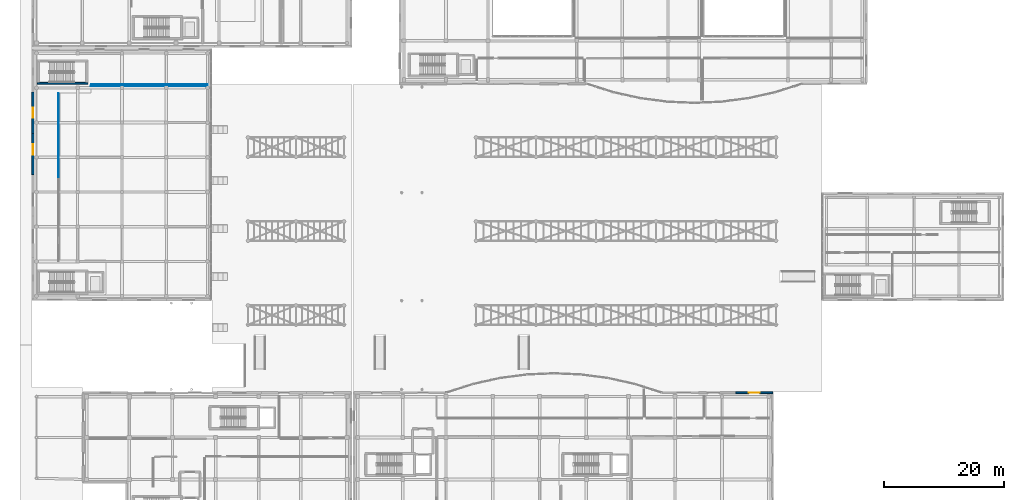
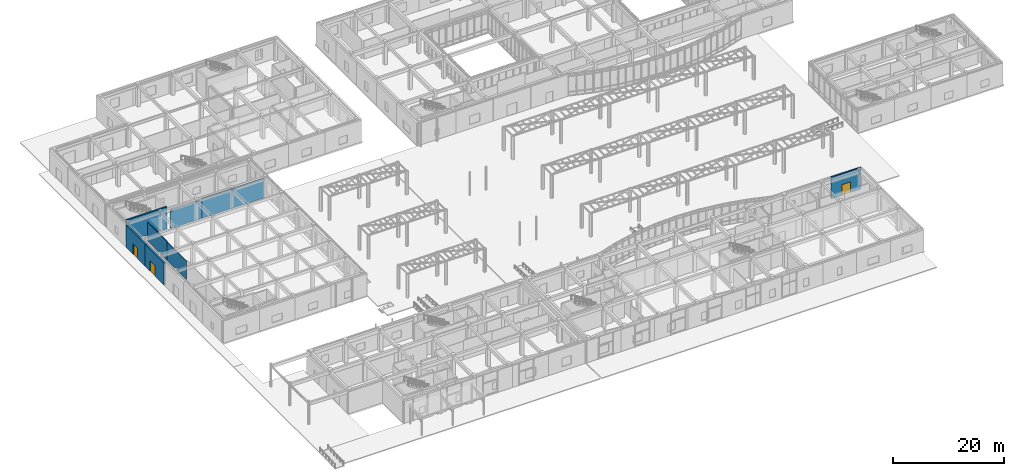
# One storey, part 100 of 121: 12 walls, 3 doors, 3 openings.
"""IFC4 building model written with IfcOpenShell, lengths in metres."""

import ifcopenshell
import ifcopenshell.guid

model = None  # the IFC model being written
_history = None  # IfcOwnerHistory: only IFC2X3 demands one
_inside = {}  # id of a spatial element -> (the spatial element, [elements in it])
_under = {}  # id of a project, library or spatial element -> (it, [spatial elements below it])
_declared = {}  # id of a project -> (the project, [libraries it declares])
_typed = {}  # id of a type object -> (the type object, [elements of that type])
_made_of = {}  # id of a material, layer set ... -> (it, [elements and type objects made of it])


def new_model(schema):
    """Start an empty IFC model of exactly this schema.

    Asked for "IFC4X3", IfcOpenShell would pick the latest addendum, in which some entities
    have other attributes; the version numbers below select the first issue.
    IFC2X3 requires an IfcOwnerHistory on every rooted entity: one is made here for all.
    """
    global model, _history
    if schema == "IFC4X3":
        model = ifcopenshell.file(schema_version=(4, 3, 0, 0))
    else:
        model = ifcopenshell.file(schema=schema)
    _inside.clear()
    _under.clear()
    _declared.clear()
    _typed.clear()
    _made_of.clear()
    _history = None
    if model.schema == "IFC2X3":
        org = make("IfcOrganization", Name="unknown")
        user = make(
            "IfcPersonAndOrganization",
            ThePerson=make("IfcPerson", FamilyName="unknown"),
            TheOrganization=org,
        )
        app = make(
            "IfcApplication",
            ApplicationDeveloper=org,
            Version="unknown",
            ApplicationFullName="unknown",
            ApplicationIdentifier="unknown",
        )
        _history = make(
            "IfcOwnerHistory",
            OwningUser=user,
            OwningApplication=app,
            ChangeAction="ADDED",
            CreationDate=0,
        )
    return model


def make(cls, **values):
    """One entity of the class cls with the attributes given. An attribute that is None is left unset."""
    return model.create_entity(
        cls, **{name: value for name, value in values.items() if value is not None}
    )


def rooted(cls, **values):
    """An entity with a GlobalId (a new one), such as an element, a storey or a relation."""
    return make(cls, GlobalId=ifcopenshell.guid.new(), OwnerHistory=_history, **values)


def si_unit(unit_type, name, prefix=None):
    """IfcSIUnit, for example si_unit("LENGTHUNIT", "METRE", prefix="MILLI")."""
    return make("IfcSIUnit", UnitType=unit_type, Prefix=prefix, Name=name)


def assignment(units):
    """IfcUnitAssignment: the units of a project."""
    return None if units is None else make("IfcUnitAssignment", Units=units)


def point(xyz):
    """IfcCartesianPoint."""
    return None if xyz is None else make("IfcCartesianPoint", Coordinates=xyz)


def direction(xyz):
    """IfcDirection."""
    return None if xyz is None else make("IfcDirection", DirectionRatios=xyz)


def frame(location, z_axis=None, x_axis=None):
    """IfcAxis2Placement3D, a coordinate frame: its origin and axes. An axis left out is left unset."""
    return make(
        "IfcAxis2Placement3D",
        Location=point(location),
        Axis=direction(z_axis),
        RefDirection=direction(x_axis),
    )


def frame_2d(location, x_axis=None):
    """IfcAxis2Placement2D, a coordinate frame in the plane: its origin and x axis."""
    return make(
        "IfcAxis2Placement2D", Location=point(location), RefDirection=direction(x_axis)
    )


def origin():
    """The frame at (0, 0, 0) with its axes left unset."""
    return frame((0.0, 0.0, 0.0))


def place(relative_to, where):
    """IfcLocalPlacement: puts the frame where relative to a parent placement (None: the world)."""
    return make(
        "IfcLocalPlacement", PlacementRelTo=relative_to, RelativePlacement=where
    )


def context(
    kind, dimensions, precision=None, world=None, true_north=None, identifier=None
):
    """IfcGeometricRepresentationContext, for example the 3D "Model" context."""
    return make(
        "IfcGeometricRepresentationContext",
        ContextIdentifier=identifier,
        ContextType=kind,
        CoordinateSpaceDimension=dimensions,
        Precision=precision,
        WorldCoordinateSystem=world,
        TrueNorth=true_north,
    )


def subcontext(parent, identifier, kind, view, scale=None):
    """IfcGeometricRepresentationSubContext, for example "Body" below "Model"."""
    return make(
        "IfcGeometricRepresentationSubContext",
        ContextIdentifier=identifier,
        ContextType=kind,
        ParentContext=parent,
        TargetScale=scale,
        TargetView=view,
    )


def project(units=None, contexts=None):
    """IfcProject with its units and contexts."""
    return rooted(
        "IfcProject",
        Name="project",
        RepresentationContexts=contexts,
        UnitsInContext=assignment(units),
    )


def spatial(cls, under=None, at=None, **own):
    """A site, building, storey or space (cls), placed at a placement, below another one or the project."""
    s = rooted(cls, ObjectPlacement=at, **own)
    if under is not None:
        _under.setdefault(under.id(), (under, []))[1].append(s)
    return s


def profile(cls, at=None, kind="AREA", **sizes):
    """A parametric profile (cls). Its sizes go by their IFC names, for example OverallWidth=200.0."""
    return make(cls, ProfileType=kind, Position=at, **sizes)


def rectangle(**sizes):
    """IfcRectangleProfileDef."""
    return profile("IfcRectangleProfileDef", **sizes)


def extrude(swept, where, along, depth):
    """IfcExtrudedAreaSolid: the profile swept, set in the frame where, extruded along a direction by depth."""
    return make(
        "IfcExtrudedAreaSolid",
        SweptArea=swept,
        Position=where,
        ExtrudedDirection=direction(along),
        Depth=depth,
    )


def shape(context_of_items, identifier, shape_type, items):
    """IfcShapeRepresentation: the items that make up one representation, for example the "Body"."""
    return make(
        "IfcShapeRepresentation",
        ContextOfItems=context_of_items,
        RepresentationIdentifier=identifier,
        RepresentationType=shape_type,
        Items=items,
    )


def material(Name=None, Category=None):
    """IfcMaterial."""
    return make("IfcMaterial", Name=Name, Category=Category)


def layer(
    of_material, thickness, ventilated=None, Name=None, Category=None, Priority=None
):
    """IfcMaterialLayer: one layer of a wall or slab, of a material (None: an air gap)."""
    return make(
        "IfcMaterialLayer",
        Material=of_material,
        LayerThickness=thickness,
        IsVentilated=ventilated,
        Name=Name,
        Category=Category,
        Priority=Priority,
    )


def layer_set(layers, Name=None):
    """IfcMaterialLayerSet."""
    return make("IfcMaterialLayerSet", MaterialLayers=layers, LayerSetName=Name)


def made_of(thing, what):
    """Note that an element or type object is made of a material, layer set ...; save() writes the relation."""
    if what is not None:
        _made_of.setdefault(what.id(), (what, []))[1].append(thing)
    return thing


def type_object(cls, material=None, **own):
    """A type object (cls), such as IfcWallType, which elements share."""
    return made_of(rooted(cls, **own), material)


def element(
    cls,
    number,
    at=None,
    inside=None,
    cuts=None,
    type_object=None,
    material=None,
    context=None,
    identifier="Body",
    shape_type=None,
    held_by="IfcProductDefinitionShape",
    body=None,
    shapes=None,
    **own,
):
    """One element of the class cls, such as IfcWall. Its Tag is "e" and its number.

    at: its placement. inside: the storey or other place that contains it. cuts: it is an
    opening in that element (IfcRelVoidsElement). A single representation is given by context,
    identifier, shape_type and body (its items); several are given by shapes. held_by: the class
    of the entity that holds the representations. save() writes the other relations.
    """
    e = rooted(cls, Tag="e%d" % number, ObjectPlacement=at, **own)
    if body is not None:
        shapes = [shape(context, identifier, shape_type, body)]
    if shapes is not None:
        e.Representation = make(held_by, Representations=shapes)
    if inside is not None:
        _inside.setdefault(inside.id(), (inside, []))[1].append(e)
    if cuts is not None:
        rooted(
            "IfcRelVoidsElement", RelatingBuildingElement=cuts, RelatedOpeningElement=e
        )
    if type_object is not None:
        _typed.setdefault(type_object.id(), (type_object, []))[1].append(e)
    return made_of(e, material)


def fill(opening, filler):
    """IfcRelFillsElement: the door or window that sits in an opening."""
    return rooted(
        "IfcRelFillsElement",
        RelatingOpeningElement=opening,
        RelatedBuildingElement=filler,
    )


def aggregate(whole, parts):
    """IfcRelAggregates: a whole, such as a stair, and the parts it consists of."""
    return rooted("IfcRelAggregates", RelatingObject=whole, RelatedObjects=parts)


def save(model, path):
    """Write the relations noted so far, then the file.

    IfcRelAggregates (storeys below a building ...), IfcRelContainedInSpatialStructure (elements
    in a storey), IfcRelDefinesByType, IfcRelAssociatesMaterial and IfcRelDeclares: one each for
    every whole, place, type object, material and project.
    """
    for whole, parts in _under.values():
        aggregate(whole, parts)
    for where, things in _inside.values():
        rooted(
            "IfcRelContainedInSpatialStructure",
            RelatedElements=things,
            RelatingStructure=where,
        )
    for kind, things in _typed.values():
        rooted("IfcRelDefinesByType", RelatedObjects=things, RelatingType=kind)
    for what, things in _made_of.values():
        rooted("IfcRelAssociatesMaterial", RelatedObjects=things, RelatingMaterial=what)
    for by, libraries in _declared.values():
        rooted("IfcRelDeclares", RelatingContext=by, RelatedDefinitions=libraries)
    model.write(path)


model = new_model("IFC4")

# Units and contexts
model_context = context("Model", 3, precision=1e-05, world=origin(), true_north=direction((0.0, 1.0)))
body_context = subcontext(model_context, "Body", "Model", "MODEL_VIEW")
ifc_project = project(units=[si_unit("LENGTHUNIT", "METRE"), si_unit("AREAUNIT", "SQUARE_METRE"), si_unit("VOLUMEUNIT", "CUBIC_METRE"), si_unit("PLANEANGLEUNIT", "RADIAN"), si_unit("MASSUNIT", "GRAM", prefix="KILO")], contexts=[model_context])

# Site, building, storey
site_placement = place(None, origin())
site = spatial("IfcSite", under=ifc_project, at=site_placement, CompositionType="ELEMENT")
building_placement = place(site_placement, origin())
building = spatial("IfcBuilding", under=site, at=building_placement, Name="Valcora Specialist Clinic", CompositionType="ELEMENT")
storey_placement = place(building_placement, origin())
storey = spatial("IfcBuildingStorey", under=building, at=storey_placement, Name="L00", CompositionType="ELEMENT", Elevation=0.0)

# Wall
ifc_material_1 = material(Name="Concrete C40/50", Category="concrete")
ifc_layer_1 = layer(ifc_material_1, 0.300048828125)
ifc_layer_set_1 = layer_set([ifc_layer_1], Name="Concrete C40/50")
wall_type_1 = type_object("IfcWallType", Name="TY-WL-CR300", PredefinedType="SHEAR", material=ifc_layer_set_1)
wall_1_placement = place(storey_placement, frame((0.89990234375, 74.25, 0.0), z_axis=(0.0, 0.0, 1.0), x_axis=(1.0, 0.0, 0.0)))
element("IfcWall", 1, at=wall_1_placement, inside=storey, type_object=wall_type_1, Name="Core shear wall WL-CR-C-V1B-L00-S", PredefinedType="SHEAR", context=body_context, shape_type="SweptSolid", body=[
    extrude(rectangle(XDim=8.420166015625, YDim=0.300048828125, at=frame_2d((4.2099609375, 0.0))), origin(), (0.0, 0.0, 1.0), 4.81005859375),
])

# Wall, opening, door
ifc_material_2 = material(Name="Extruded Jalisco Clay Brick Masonry", Category="masonry")
ifc_layer_2 = layer(ifc_material_2, 0.280029296875)
ifc_layer_set_2 = layer_set([ifc_layer_2], Name="Extruded Jalisco Clay Brick Masonry")
wall_type_2 = type_object("IfcWallType", Name="TY-WL-EW280", PredefinedType="SOLIDWALL", material=ifc_layer_set_2)
wall_2_placement = place(storey_placement, frame((117.292236328125, 22.64990234375, 0.0), z_axis=(0.0, 0.0, 1.0), x_axis=(1.0, 0.0, 0.0)))
wall_2 = element("IfcWall", 2, at=wall_2_placement, inside=storey, type_object=wall_type_2, Name="Exterior wall WL-EXT-L00-0307", PredefinedType="SOLIDWALL", context=body_context, shape_type="SweptSolid", body=[
    extrude(rectangle(XDim=6.15771484375, YDim=0.280029296875, at=frame_2d((3.078857421875, 0.0))), origin(), (0.0, 0.0, 1.0), 4.77001953125),
])
opening_1_placement = place(wall_2_placement, frame((2.178955078125, 0.0, 0.0)))
opening_1 = element("IfcOpeningElement", 3, at=opening_1_placement, cuts=wall_2, Name="Opening DR-EX-180", PredefinedType="OPENING", context=body_context, shape_type="SweptSolid", body=[
    extrude(rectangle(XDim=1.800048828125, YDim=2.35009765625, at=frame_2d((0.89990234375, 1.175048828125))), frame((0.0, 0.14990234375, 0.0), z_axis=(0.0, -1.0, 0.0), x_axis=(1.0, 0.0, 0.0)), (0.0, 0.0, 1.0), 0.300048828125),
])
ifc_material_3 = material(Name="Anodized Bronze Aluminium 6063-T6", Category="aluminium")
door_type_1 = type_object("IfcDoorType", Name="TY-DR-EX180", OperationType="NOTDEFINED", PredefinedType="DOOR", material=ifc_material_3)
door_1_placement = place(opening_1_placement, origin())
door_1 = element("IfcDoor", 4, at=door_1_placement, inside=storey, type_object=door_type_1, Name="Exterior door DR-EXT-L00-023", OperationType="SINGLE_SWING_LEFT", OverallHeight=2.35009765625, OverallWidth=1.800048828125, PredefinedType="DOOR", context=body_context, shape_type="SweptSolid", body=[
    extrude(rectangle(XDim=1.800048828125, YDim=2.35009765625, at=frame_2d((0.89990234375, 1.175048828125))), frame((0.0, 0.02490234375, 0.0), z_axis=(0.0, -1.0, 0.0), x_axis=(1.0, 0.0, 0.0)), (0.0, 0.0, 1.0), 0.050048828125),
])
fill(opening_1, door_1)

ifc_layer_3 = layer(ifc_material_2, 0.31005859375)
ifc_layer_set_3 = layer_set([ifc_layer_3], Name="Extruded Jalisco Clay Brick Masonry")
wall_type_3 = type_object("IfcWallType", Name="TY-WL-EW310", PredefinedType="SOLIDWALL", material=ifc_layer_set_3)
wall_3_placement = place(storey_placement, frame((0.14990234375, 65.88671875, 0.0), z_axis=(0.0, 0.0, 1.0), x_axis=(0.0, 1.0, 0.0)))
wall_3 = element("IfcWall", 5, at=wall_3_placement, inside=storey, type_object=wall_type_3, Name="Exterior wall WL-EXT-L00-0015", PredefinedType="SOLIDWALL", context=body_context, shape_type="SweptSolid", body=[
    extrude(rectangle(XDim=6.886474609375, YDim=0.31005859375, at=frame_2d((3.443359375, 0.0))), origin(), (0.0, 0.0, 1.0), 4.81005859375),
])
opening_2_placement = place(wall_3_placement, frame((2.617919921875, 0.0, 0.0)))
opening_2 = element("IfcOpeningElement", 6, at=opening_2_placement, cuts=wall_3, Name="Opening DR-EX-165", PredefinedType="OPENING", context=body_context, shape_type="SweptSolid", body=[
    extrude(rectangle(XDim=1.64990234375, YDim=2.300048828125, at=frame_2d((0.824951171875, 1.14990234375))), frame((0.0, 0.1650390625, 0.0), z_axis=(0.0, -1.0, 0.0), x_axis=(1.0, 0.0, 0.0)), (0.0, 0.0, 1.0), 0.330078125),
])
door_type_2 = type_object("IfcDoorType", Name="TY-DR-EX165", OperationType="NOTDEFINED", PredefinedType="DOOR", material=ifc_material_3)
door_2_placement = place(opening_2_placement, origin())
door_2 = element("IfcDoor", 7, at=door_2_placement, inside=storey, type_object=door_type_2, Name="Exterior door DR-EXT-L00-004", OperationType="SINGLE_SWING_RIGHT", OverallHeight=2.300048828125, OverallWidth=1.64990234375, PredefinedType="DOOR", context=body_context, shape_type="SweptSolid", body=[
    extrude(rectangle(XDim=1.64990234375, YDim=2.300048828125, at=frame_2d((0.824951171875, 1.14990234375))), frame((0.0, 0.02490234375, 0.0), z_axis=(0.0, -1.0, 0.0), x_axis=(1.0, 0.0, 0.0)), (0.0, 0.0, 1.0), 0.050048828125),
])
fill(opening_2, door_2)

ifc_layer_4 = layer(ifc_material_2, 0.324951171875)
ifc_layer_set_4 = layer_set([ifc_layer_4], Name="Extruded Jalisco Clay Brick Masonry")
wall_type_4 = type_object("IfcWallType", Name="TY-WL-EW325", PredefinedType="SOLIDWALL", material=ifc_layer_set_4)
wall_4_placement = place(storey_placement, frame((0.14990234375, 59.0, 0.0), z_axis=(0.0, 0.0, 1.0), x_axis=(0.0, 1.0, 0.0)))
wall_4 = element("IfcWall", 8, at=wall_4_placement, inside=storey, type_object=wall_type_4, Name="Exterior wall WL-EXT-L00-0014", PredefinedType="SOLIDWALL", context=body_context, shape_type="SweptSolid", body=[
    extrude(rectangle(XDim=6.88671875, YDim=0.324951171875, at=frame_2d((3.443359375, 0.0))), origin(), (0.0, 0.0, 1.0), 4.81005859375),
])
opening_3_placement = place(wall_4_placement, frame((3.305908203125, 0.0, 0.0)))
opening_3 = element("IfcOpeningElement", 9, at=opening_3_placement, cuts=wall_4, Name="Opening DR-EX-180", PredefinedType="OPENING", context=body_context, shape_type="SweptSolid", body=[
    extrude(rectangle(XDim=1.800048828125, YDim=2.35009765625, at=frame_2d((0.89990234375, 1.175048828125))), frame((0.0, 0.17236328125, 0.0), z_axis=(0.0, -1.0, 0.0), x_axis=(1.0, 0.0, 0.0)), (0.0, 0.0, 1.0), 0.344970703125),
])
door_3_placement = place(opening_3_placement, origin())
door_3 = element("IfcDoor", 10, at=door_3_placement, inside=storey, type_object=door_type_1, Name="Exterior door DR-EXT-L00-003", OperationType="SINGLE_SWING_LEFT", OverallHeight=2.35009765625, OverallWidth=1.800048828125, PredefinedType="DOOR", context=body_context, shape_type="SweptSolid", body=[
    extrude(rectangle(XDim=1.800048828125, YDim=2.35009765625, at=frame_2d((0.89990234375, 1.175048828125))), frame((0.0, 0.02490234375, 0.0), z_axis=(0.0, -1.0, 0.0), x_axis=(1.0, 0.0, 0.0)), (0.0, 0.0, 1.0), 0.050048828125),
])
fill(opening_3, door_3)

# Walls
ifc_material_4 = material(Name="Gypsum Board Partition Assembly")
ifc_layer_5 = layer(ifc_material_4, 0.094970703125)
ifc_layer_set_5 = layer_set([ifc_layer_5], Name="Gypsum Board Partition Assembly")
wall_type_5 = type_object("IfcWallType", Name="TY-WL-PT095", PredefinedType="PARTITIONING", material=ifc_layer_set_5)
wall_5_placement = place(storey_placement, frame((9.800048828125, 73.800048828125, 0.0), z_axis=(0.0, 0.0, 1.0), x_axis=(1.0, 0.0, 0.0)))
element("IfcWall", 11, at=wall_5_placement, inside=storey, type_object=wall_type_5, Name="Interior partition WL-INT-L00-0029", PredefinedType="PARTITIONING", context=body_context, shape_type="SweptSolid", body=[
    extrude(rectangle(XDim=6.48291015625, YDim=0.094970703125, at=frame_2d((3.241455078125, 0.0))), origin(), (0.0, 0.0, 1.0), 4.010009765625),
])
wall_6_placement = place(storey_placement, frame((4.39990234375, 65.60009765625, 0.0), z_axis=(0.0, 0.0, 1.0), x_axis=(0.0, 1.0, 0.0)))
element("IfcWall", 12, at=wall_6_placement, inside=storey, type_object=wall_type_5, Name="Interior partition WL-INT-L00-0035", PredefinedType="PARTITIONING", context=body_context, shape_type="SweptSolid", body=[
    extrude(rectangle(XDim=7.0, YDim=0.094970703125, at=frame_2d((3.5, 0.0))), origin(), (0.0, 0.0, 1.0), 4.110107421875),
])
ifc_layer_6 = layer(ifc_material_4, 0.10498046875)
ifc_layer_set_6 = layer_set([ifc_layer_6], Name="Gypsum Board Partition Assembly")
wall_type_6 = type_object("IfcWallType", Name="TY-WL-PT105", PredefinedType="PARTITIONING", material=ifc_layer_set_6)
wall_7_placement = place(storey_placement, frame((4.39990234375, 58.60009765625, 0.0), z_axis=(0.0, 0.0, 1.0), x_axis=(0.0, 1.0, 0.0)))
element("IfcWall", 13, at=wall_7_placement, inside=storey, type_object=wall_type_6, Name="Interior partition WL-INT-L00-0034", PredefinedType="PARTITIONING", context=body_context, shape_type="SweptSolid", body=[
    extrude(rectangle(XDim=7.0, YDim=0.10498046875, at=frame_2d((3.5, 0.0))), origin(), (0.0, 0.0, 1.0), 4.010009765625),
])
ifc_layer_7 = layer(ifc_material_4, 0.125)
ifc_layer_set_7 = layer_set([ifc_layer_7], Name="Gypsum Board Partition Assembly")
wall_type_7 = type_object("IfcWallType", Name="TY-WL-PT125", PredefinedType="PARTITIONING", material=ifc_layer_set_7)
wall_8_placement = place(storey_placement, frame((16.31689453125, 74.0, 0.0), z_axis=(0.0, 0.0, 1.0), x_axis=(-1.0, 0.0, 0.0)))
element("IfcWall", 14, at=wall_8_placement, inside=storey, type_object=wall_type_7, Name="Interior partition WL-INT-L00-0038", PredefinedType="PARTITIONING", context=body_context, shape_type="SweptSolid", body=[
    extrude(rectangle(XDim=6.466796875, YDim=0.125, at=frame_2d((3.2333984375, 0.0))), origin(), (0.0, 0.0, 1.0), 4.010009765625),
])
ifc_layer_8 = layer(ifc_material_4, 0.135009765625)
ifc_layer_set_8 = layer_set([ifc_layer_8], Name="Gypsum Board Partition Assembly")
wall_type_8 = type_object("IfcWallType", Name="TY-WL-PT135", PredefinedType="PARTITIONING", material=ifc_layer_set_8)
wall_9_placement = place(storey_placement, frame((22.76708984375, 73.800048828125, 0.0), z_axis=(0.0, 0.0, 1.0), x_axis=(1.0, 0.0, 0.0)))
element("IfcWall", 15, at=wall_9_placement, inside=storey, type_object=wall_type_8, Name="Interior partition WL-INT-L00-0031", PredefinedType="PARTITIONING", context=body_context, shape_type="SweptSolid", body=[
    extrude(rectangle(XDim=6.48291015625, YDim=0.135009765625, at=frame_2d((3.241455078125, 0.0))), origin(), (0.0, 0.0, 1.0), 4.06005859375),
])
wall_10_placement = place(storey_placement, frame((22.782958984375, 74.0, 0.0), z_axis=(0.0, 0.0, 1.0), x_axis=(-1.0, 0.0, 0.0)))
element("IfcWall", 16, at=wall_10_placement, inside=storey, type_object=wall_type_8, Name="Interior partition WL-INT-L00-0037", PredefinedType="PARTITIONING", context=body_context, shape_type="SweptSolid", body=[
    extrude(rectangle(XDim=6.466064453125, YDim=0.135009765625, at=frame_2d((3.23291015625, 0.0))), origin(), (0.0, 0.0, 1.0), 4.260009765625),
])
ifc_layer_9 = layer(ifc_material_4, 0.14501953125)
ifc_layer_set_9 = layer_set([ifc_layer_9], Name="Gypsum Board Partition Assembly")
wall_type_9 = type_object("IfcWallType", Name="TY-WL-PT145", PredefinedType="PARTITIONING", material=ifc_layer_set_9)
wall_11_placement = place(storey_placement, frame((16.282958984375, 73.800048828125, 0.0), z_axis=(0.0, 0.0, 1.0), x_axis=(1.0, 0.0, 0.0)))
element("IfcWall", 17, at=wall_11_placement, inside=storey, type_object=wall_type_9, Name="Interior partition WL-INT-L00-0030", PredefinedType="PARTITIONING", context=body_context, shape_type="SweptSolid", body=[
    extrude(rectangle(XDim=6.484130859375, YDim=0.14501953125, at=frame_2d((3.2421875, 0.0))), origin(), (0.0, 0.0, 1.0), 4.06005859375),
])
wall_12_placement = place(storey_placement, frame((29.25, 74.0, 0.0), z_axis=(0.0, 0.0, 1.0), x_axis=(-1.0, 0.0, 0.0)))
element("IfcWall", 18, at=wall_12_placement, inside=storey, type_object=wall_type_9, Name="Interior partition WL-INT-L00-0036", PredefinedType="PARTITIONING", context=body_context, shape_type="SweptSolid", body=[
    extrude(rectangle(XDim=6.467041015625, YDim=0.14501953125, at=frame_2d((3.2333984375, 0.0))), origin(), (0.0, 0.0, 1.0), 4.2099609375),
])

save(model, "model.ifc")
